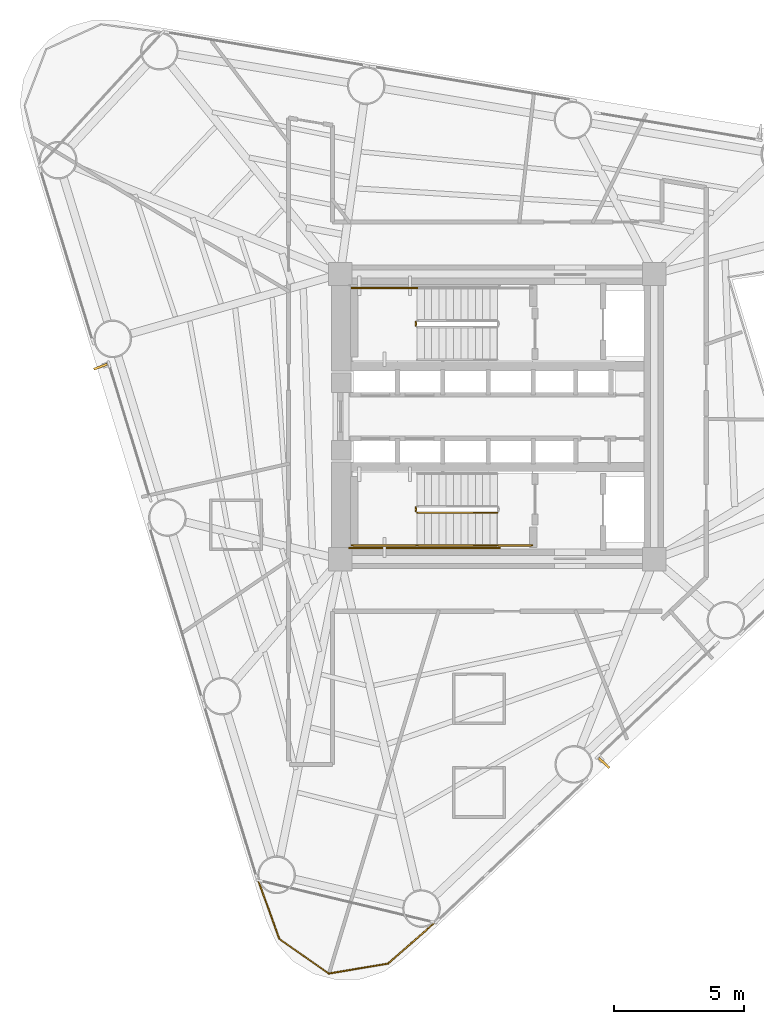
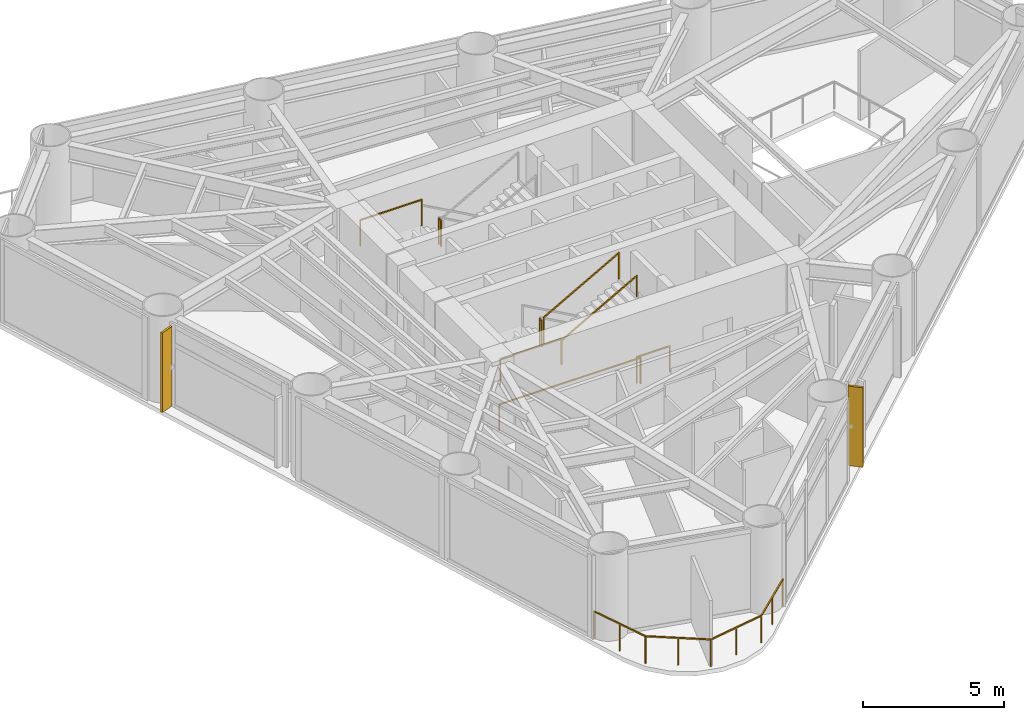
# One storey, part 8 of 10: 9 railings, 2 shading devices.
"""IFC4 building model written with IfcOpenShell, lengths in metres."""

import ifcopenshell
import ifcopenshell.guid

model = None  # the IFC model being written
_history = None  # IfcOwnerHistory: only IFC2X3 demands one
_inside = {}  # id of a spatial element -> (the spatial element, [elements in it])
_under = {}  # id of a project, library or spatial element -> (it, [spatial elements below it])
_declared = {}  # id of a project -> (the project, [libraries it declares])
_typed = {}  # id of a type object -> (the type object, [elements of that type])
_made_of = {}  # id of a material, layer set ... -> (it, [elements and type objects made of it])


def new_model(schema):
    """Start an empty IFC model of exactly this schema.

    Asked for "IFC4X3", IfcOpenShell would pick the latest addendum, in which some entities
    have other attributes; the version numbers below select the first issue.
    IFC2X3 requires an IfcOwnerHistory on every rooted entity: one is made here for all.
    """
    global model, _history
    if schema == "IFC4X3":
        model = ifcopenshell.file(schema_version=(4, 3, 0, 0))
    else:
        model = ifcopenshell.file(schema=schema)
    _inside.clear()
    _under.clear()
    _declared.clear()
    _typed.clear()
    _made_of.clear()
    _history = None
    if model.schema == "IFC2X3":
        org = make("IfcOrganization", Name="unknown")
        user = make(
            "IfcPersonAndOrganization",
            ThePerson=make("IfcPerson", FamilyName="unknown"),
            TheOrganization=org,
        )
        app = make(
            "IfcApplication",
            ApplicationDeveloper=org,
            Version="unknown",
            ApplicationFullName="unknown",
            ApplicationIdentifier="unknown",
        )
        _history = make(
            "IfcOwnerHistory",
            OwningUser=user,
            OwningApplication=app,
            ChangeAction="ADDED",
            CreationDate=0,
        )
    return model


def make(cls, **values):
    """One entity of the class cls with the attributes given. An attribute that is None is left unset."""
    return model.create_entity(
        cls, **{name: value for name, value in values.items() if value is not None}
    )


def rooted(cls, **values):
    """An entity with a GlobalId (a new one), such as an element, a storey or a relation."""
    return make(cls, GlobalId=ifcopenshell.guid.new(), OwnerHistory=_history, **values)


def si_unit(unit_type, name, prefix=None):
    """IfcSIUnit, for example si_unit("LENGTHUNIT", "METRE", prefix="MILLI")."""
    return make("IfcSIUnit", UnitType=unit_type, Prefix=prefix, Name=name)


def assignment(units):
    """IfcUnitAssignment: the units of a project."""
    return None if units is None else make("IfcUnitAssignment", Units=units)


def point(xyz):
    """IfcCartesianPoint."""
    return None if xyz is None else make("IfcCartesianPoint", Coordinates=xyz)


def direction(xyz):
    """IfcDirection."""
    return None if xyz is None else make("IfcDirection", DirectionRatios=xyz)


def frame(location, z_axis=None, x_axis=None):
    """IfcAxis2Placement3D, a coordinate frame: its origin and axes. An axis left out is left unset."""
    return make(
        "IfcAxis2Placement3D",
        Location=point(location),
        Axis=direction(z_axis),
        RefDirection=direction(x_axis),
    )


def frame_2d(location, x_axis=None):
    """IfcAxis2Placement2D, a coordinate frame in the plane: its origin and x axis."""
    return make(
        "IfcAxis2Placement2D", Location=point(location), RefDirection=direction(x_axis)
    )


def origin():
    """The frame at (0, 0, 0) with its axes left unset."""
    return frame((0.0, 0.0, 0.0))


def origin_2d():
    """The frame at (0, 0) in the plane with its x axis left unset."""
    return frame_2d((0.0, 0.0))


def place(relative_to, where):
    """IfcLocalPlacement: puts the frame where relative to a parent placement (None: the world)."""
    return make(
        "IfcLocalPlacement", PlacementRelTo=relative_to, RelativePlacement=where
    )


def context(
    kind, dimensions, precision=None, world=None, true_north=None, identifier=None
):
    """IfcGeometricRepresentationContext, for example the 3D "Model" context."""
    return make(
        "IfcGeometricRepresentationContext",
        ContextIdentifier=identifier,
        ContextType=kind,
        CoordinateSpaceDimension=dimensions,
        Precision=precision,
        WorldCoordinateSystem=world,
        TrueNorth=true_north,
    )


def subcontext(parent, identifier, kind, view, scale=None):
    """IfcGeometricRepresentationSubContext, for example "Body" below "Model"."""
    return make(
        "IfcGeometricRepresentationSubContext",
        ContextIdentifier=identifier,
        ContextType=kind,
        ParentContext=parent,
        TargetScale=scale,
        TargetView=view,
    )


def project(units=None, contexts=None):
    """IfcProject with its units and contexts."""
    return rooted(
        "IfcProject",
        Name="project",
        RepresentationContexts=contexts,
        UnitsInContext=assignment(units),
    )


def spatial(cls, under=None, at=None, **own):
    """A site, building, storey or space (cls), placed at a placement, below another one or the project."""
    s = rooted(cls, ObjectPlacement=at, **own)
    if under is not None:
        _under.setdefault(under.id(), (under, []))[1].append(s)
    return s


def profile(cls, at=None, kind="AREA", **sizes):
    """A parametric profile (cls). Its sizes go by their IFC names, for example OverallWidth=200.0."""
    return make(cls, ProfileType=kind, Position=at, **sizes)


def rectangle(**sizes):
    """IfcRectangleProfileDef."""
    return profile("IfcRectangleProfileDef", **sizes)


def extrude(swept, where, along, depth):
    """IfcExtrudedAreaSolid: the profile swept, set in the frame where, extruded along a direction by depth."""
    return make(
        "IfcExtrudedAreaSolid",
        SweptArea=swept,
        Position=where,
        ExtrudedDirection=direction(along),
        Depth=depth,
    )


def shape(context_of_items, identifier, shape_type, items):
    """IfcShapeRepresentation: the items that make up one representation, for example the "Body"."""
    return make(
        "IfcShapeRepresentation",
        ContextOfItems=context_of_items,
        RepresentationIdentifier=identifier,
        RepresentationType=shape_type,
        Items=items,
    )


def source(mapping_origin, context_of_items, identifier, shape_type, items):
    """IfcRepresentationMap: a shape defined once, which mapped items show again and again."""
    return make(
        "IfcRepresentationMap",
        MappingOrigin=mapping_origin,
        MappedRepresentation=shape(context_of_items, identifier, shape_type, items),
    )


def transform(
    local_origin,
    x_axis=None,
    y_axis=None,
    z_axis=None,
    scale=None,
    scale2=None,
    scale3=None,
    uniform=True,
):
    """IfcCartesianTransformationOperator3D, or its non-uniform kind. x_axis, y_axis, z_axis: its Axis1, 2, 3."""
    if uniform:
        return make(
            "IfcCartesianTransformationOperator3D",
            Axis1=direction(x_axis),
            Axis2=direction(y_axis),
            LocalOrigin=point(local_origin),
            Scale=scale,
            Axis3=direction(z_axis),
        )
    return make(
        "IfcCartesianTransformationOperator3DnonUniform",
        Axis1=direction(x_axis),
        Axis2=direction(y_axis),
        LocalOrigin=point(local_origin),
        Scale=scale,
        Axis3=direction(z_axis),
        Scale2=scale2,
        Scale3=scale3,
    )


def mapped(mapping_source, mapping_target):
    """IfcMappedItem: shows the shape of a source again, moved by a transform."""
    return make(
        "IfcMappedItem", MappingSource=mapping_source, MappingTarget=mapping_target
    )


def material(Name=None, Category=None):
    """IfcMaterial."""
    return make("IfcMaterial", Name=Name, Category=Category)


def material_profile(
    of_material, cross_section, Name=None, Category=None, Priority=None
):
    """IfcMaterialProfile: a cross section and its material."""
    return make(
        "IfcMaterialProfile",
        Name=Name,
        Material=of_material,
        Profile=cross_section,
        Priority=Priority,
        Category=Category,
    )


def profile_set(profiles, Name=None, composite=None):
    """IfcMaterialProfileSet."""
    return make(
        "IfcMaterialProfileSet",
        Name=Name,
        MaterialProfiles=profiles,
        CompositeProfile=composite,
    )


def made_of(thing, what):
    """Note that an element or type object is made of a material, layer set ...; save() writes the relation."""
    if what is not None:
        _made_of.setdefault(what.id(), (what, []))[1].append(thing)
    return thing


def type_object(cls, material=None, **own):
    """A type object (cls), such as IfcWallType, which elements share."""
    return made_of(rooted(cls, **own), material)


def element(
    cls,
    number,
    at=None,
    inside=None,
    cuts=None,
    type_object=None,
    material=None,
    context=None,
    identifier="Body",
    shape_type=None,
    held_by="IfcProductDefinitionShape",
    body=None,
    shapes=None,
    **own,
):
    """One element of the class cls, such as IfcWall. Its Tag is "e" and its number.

    at: its placement. inside: the storey or other place that contains it. cuts: it is an
    opening in that element (IfcRelVoidsElement). A single representation is given by context,
    identifier, shape_type and body (its items); several are given by shapes. held_by: the class
    of the entity that holds the representations. save() writes the other relations.
    """
    e = rooted(cls, Tag="e%d" % number, ObjectPlacement=at, **own)
    if body is not None:
        shapes = [shape(context, identifier, shape_type, body)]
    if shapes is not None:
        e.Representation = make(held_by, Representations=shapes)
    if inside is not None:
        _inside.setdefault(inside.id(), (inside, []))[1].append(e)
    if cuts is not None:
        rooted(
            "IfcRelVoidsElement", RelatingBuildingElement=cuts, RelatedOpeningElement=e
        )
    if type_object is not None:
        _typed.setdefault(type_object.id(), (type_object, []))[1].append(e)
    return made_of(e, material)


def aggregate(whole, parts):
    """IfcRelAggregates: a whole, such as a stair, and the parts it consists of."""
    return rooted("IfcRelAggregates", RelatingObject=whole, RelatedObjects=parts)


def save(model, path):
    """Write the relations noted so far, then the file.

    IfcRelAggregates (storeys below a building ...), IfcRelContainedInSpatialStructure (elements
    in a storey), IfcRelDefinesByType, IfcRelAssociatesMaterial and IfcRelDeclares: one each for
    every whole, place, type object, material and project.
    """
    for whole, parts in _under.values():
        aggregate(whole, parts)
    for where, things in _inside.values():
        rooted(
            "IfcRelContainedInSpatialStructure",
            RelatedElements=things,
            RelatingStructure=where,
        )
    for kind, things in _typed.values():
        rooted("IfcRelDefinesByType", RelatedObjects=things, RelatingType=kind)
    for what, things in _made_of.values():
        rooted("IfcRelAssociatesMaterial", RelatedObjects=things, RelatingMaterial=what)
    for by, libraries in _declared.values():
        rooted("IfcRelDeclares", RelatingContext=by, RelatedDefinitions=libraries)
    model.write(path)


model = new_model("IFC4")

# Units and contexts
model_context = context("Model", 3, precision=1e-05, world=origin(), true_north=direction((0.0, 1.0)))
body_context = subcontext(model_context, "Body", "Model", "MODEL_VIEW")
ifc_project = project(units=[si_unit("LENGTHUNIT", "METRE"), si_unit("AREAUNIT", "SQUARE_METRE"), si_unit("VOLUMEUNIT", "CUBIC_METRE"), si_unit("PLANEANGLEUNIT", "RADIAN"), si_unit("MASSUNIT", "GRAM", prefix="KILO")], contexts=[model_context])

# Site, building, storey
site_placement = place(None, origin())
site = spatial("IfcSite", under=ifc_project, at=site_placement, CompositionType="ELEMENT")
building_placement = place(site_placement, origin())
building = spatial("IfcBuilding", under=site, at=building_placement, Name="Yunling Apex Tower", CompositionType="ELEMENT")
storey_placement = place(building_placement, frame((0.0, 0.0, 97.39990234375)))
storey = spatial("IfcBuildingStorey", under=building, at=storey_placement, Name="L24", CompositionType="ELEMENT", Elevation=97.39990234375)

# Railings
ifc_material_1 = material(Name="Bronze anodised aluminium", Category="aluminium")
railing_type_1 = type_object("IfcRailingType", Name="RL-BAL-1200", PredefinedType="BALUSTRADE", material=ifc_material_1)
railing_1_placement = place(storey_placement, frame((-2.412353515625, -19.497314453125, 0.0)))
element("IfcRailing", 1, at=railing_1_placement, inside=storey, type_object=railing_type_1, Name="RL-CRNSILL-L24-3", PredefinedType="BALUSTRADE", context=body_context, shape_type="SweptSolid", body=[
    extrude(rectangle(XDim=0.0439453125, YDim=0.0439453125, at=origin_2d()), origin(), (0.0, 0.0, 1.0), 1.199951171875),
    extrude(rectangle(XDim=0.0439453125, YDim=0.0439453125, at=origin_2d()), frame((-1.796630859375, -1.580078125, 0.0)), (0.0, 0.0, 1.0), 1.199951171875),
    extrude(rectangle(XDim=0.050048828125, YDim=0.050048828125, at=origin_2d()), frame((-0.02880859375, -0.025390625, 1.1748046875), z_axis=(-0.750911858274, -0.660402438748, 0.0), x_axis=(0.660402438748, -0.750911858274, 0.0)), (0.0, 0.0, 1.0), 2.31591796875),
    extrude(rectangle(XDim=0.0439453125, YDim=0.0439453125, at=origin_2d()), frame((-0.8984375, -0.7900390625, 0.0)), (0.0, 0.0, 1.0), 1.14599609375),
    extrude(rectangle(XDim=0.0439453125, YDim=0.0439453125, at=origin_2d()), frame((-4.085205078125, -1.96484375, 0.0)), (0.0, 0.0, 1.0), 1.199951171875),
    extrude(rectangle(XDim=0.050048828125, YDim=0.050048828125, at=origin_2d()), frame((-1.83447265625, -1.58642578125, 1.1748046875), z_axis=(-0.986159782391, -0.165797718908, 0.0), x_axis=(0.165797718908, -0.986159782391, 0.0)), (0.0, 0.0, 1.0), 2.244140625),
    extrude(rectangle(XDim=0.0439453125, YDim=0.0439453125, at=origin_2d()), frame((-2.94091796875, -1.7724609375, 0.0)), (0.0, 0.0, 1.0), 1.14599609375),
    extrude(rectangle(XDim=0.0439453125, YDim=0.0439453125, at=origin_2d()), frame((-5.991943359375, -0.62890625, 0.0)), (0.0, 0.0, 1.0), 1.199951171875),
    extrude(rectangle(XDim=0.050048828125, YDim=0.050048828125, at=origin_2d()), frame((-4.11669921875, -1.94287109375, 1.1748046875), z_axis=(-0.818985520809, 0.573814183081, 0.0), x_axis=(-0.573814183081, -0.818985520809, 0.0)), (0.0, 0.0, 1.0), 2.25146484375),
    extrude(rectangle(XDim=0.0439453125, YDim=0.0439453125, at=origin_2d()), frame((-5.03857421875, -1.296875, 0.0)), (0.0, 0.0, 1.0), 1.14599609375),
    extrude(rectangle(XDim=0.0439453125, YDim=0.0439453125, at=origin_2d()), frame((-6.80224609375, 1.62158203125, 0.0)), (0.0, 0.0, 1.0), 1.199951171875),
    extrude(rectangle(XDim=0.050048828125, YDim=0.050048828125, at=origin_2d()), frame((-6.0048828125, -0.5927734375, 1.1748046875), z_axis=(-0.338766454211, 0.940870495606, 0.0), x_axis=(-0.940870495606, -0.338766454211, 0.0)), (0.0, 0.0, 1.0), 2.315185546875),
    extrude(rectangle(XDim=0.0439453125, YDim=0.0439453125, at=origin_2d()), frame((-6.39697265625, 0.496337890625, 0.0)), (0.0, 0.0, 1.0), 1.14599609375),
])
ifc_material_2 = material(Name="Steel Q355B", Category="steel")
railing_type_2 = type_object("IfcRailingType", Name="RL-GRD-1150", PredefinedType="GUARDRAIL", material=ifc_material_2)
railing_2_placement = place(storey_placement, frame((-3.139892578125, 3.64990234375, 1.875)))
element("IfcRailing", 2, at=railing_2_placement, inside=storey, type_object=railing_type_2, Name="L24 ST-1 stair guard 2", PredefinedType="GUARDRAIL", context=body_context, shape_type="SweptSolid", body=[
    extrude(rectangle(XDim=0.0439453125, YDim=0.0439453125, at=origin_2d()), origin(), (0.0, 0.0, 1.0), 1.14990234375),
    extrude(rectangle(XDim=0.0439453125, YDim=0.0439453125, at=origin_2d()), frame((0.0, -0.14990234375, 0.0)), (0.0, 0.0, 1.0), 1.14990234375),
    extrude(rectangle(XDim=0.050048828125, YDim=0.050048828125, at=origin_2d()), frame((0.0, -0.038330078125, 1.125), z_axis=(0.0, -1.0, 0.0), x_axis=(1.0, 0.0, 0.0)), (0.0, 0.0, 1.0), 0.0732421875),
])
railing_3_placement = place(storey_placement, frame((-3.090087890625, 4.9599609375, 1.875)))
element("IfcRailing", 3, at=railing_3_placement, inside=storey, type_object=railing_type_2, Name="L24 ST-1 stair guard 3", PredefinedType="GUARDRAIL", context=body_context, shape_type="SweptSolid", body=[
    extrude(rectangle(XDim=0.0439453125, YDim=0.0439453125, at=origin_2d()), origin(), (0.0, 0.0, 1.0), 1.14990234375),
    extrude(rectangle(XDim=0.0439453125, YDim=0.0439453125, at=origin_2d()), frame((-2.510009765625, 0.0, 0.0)), (0.0, 0.0, 1.0), 1.14990234375),
    extrude(rectangle(XDim=0.050048828125, YDim=0.050048828125, at=origin_2d()), frame((-0.038330078125, 0.0, 1.125), z_axis=(-1.0, 0.0, 0.0), x_axis=(0.0, -1.0, 0.0)), (0.0, 0.0, 1.0), 2.433349609375),
])
railing_4_placement = place(storey_placement, frame((-3.139892578125, -3.5, 1.875)))
element("IfcRailing", 4, at=railing_4_placement, inside=storey, type_object=railing_type_2, Name="L24 ST-2 stair guard 2", PredefinedType="GUARDRAIL", context=body_context, shape_type="SweptSolid", body=[
    extrude(rectangle(XDim=0.0439453125, YDim=0.0439453125, at=origin_2d()), origin(), (0.0, 0.0, 1.0), 1.14990234375),
    extrude(rectangle(XDim=0.0439453125, YDim=0.0439453125, at=origin_2d()), frame((0.0, -0.14990234375, 0.0)), (0.0, 0.0, 1.0), 1.14990234375),
    extrude(rectangle(XDim=0.050048828125, YDim=0.050048828125, at=origin_2d()), frame((0.0, -0.038330078125, 1.125), z_axis=(0.0, -1.0, 0.0), x_axis=(1.0, 0.0, 0.0)), (0.0, 0.0, 1.0), 0.0732421875),
])
railing_5_placement = place(storey_placement, frame((-3.090087890625, -4.9599609375, 1.875)))
element("IfcRailing", 5, at=railing_5_placement, inside=storey, type_object=railing_type_2, Name="L24 ST-2 stair guard 3", PredefinedType="GUARDRAIL", context=body_context, shape_type="SweptSolid", body=[
    extrude(rectangle(XDim=0.0439453125, YDim=0.0439453125, at=origin_2d()), origin(), (0.0, 0.0, 1.0), 1.14990234375),
    extrude(rectangle(XDim=0.0439453125, YDim=0.0439453125, at=origin_2d()), frame((-2.510009765625, 0.0, 0.0)), (0.0, 0.0, 1.0), 1.14990234375),
    extrude(rectangle(XDim=0.050048828125, YDim=0.050048828125, at=origin_2d()), frame((-0.038330078125, 0.0, 1.125), z_axis=(-1.0, 0.0, 0.0), x_axis=(0.0, -1.0, 0.0)), (0.0, 0.0, 1.0), 2.433349609375),
])
railing_6_placement = place(storey_placement, frame((-3.090087890625, -3.699951171875, 2.03125)))
element("IfcRailing", 6, at=railing_6_placement, inside=storey, type_object=railing_type_2, Name="L24 ST-2 stair guard 4", PredefinedType="GUARDRAIL", context=body_context, shape_type="SweptSolid", body=[
    extrude(rectangle(XDim=0.0439453125, YDim=0.0439453125, at=origin_2d()), origin(), (0.0, 0.0, 1.0), 1.14990234375),
    extrude(rectangle(XDim=0.0439453125, YDim=0.0439453125, at=origin_2d()), frame((3.080078125, 0.0, 1.71875)), (0.0, 0.0, 1.0), 1.14990234375),
    extrude(rectangle(XDim=0.050048828125, YDim=0.050048828125, at=origin_2d()), frame((0.033447265625, 0.0, 1.1435546875), z_axis=(0.873241540666, 0.0, 0.487287606713), x_axis=(0.0, 1.0, 0.0)), (0.0, 0.0, 1.0), 3.450439453125),
])
railing_7_placement = place(storey_placement, frame((1.35009765625, -4.9599609375, 0.0)))
element("IfcRailing", 7, at=railing_7_placement, inside=storey, type_object=railing_type_2, Name="L24 ST-2 stair guard 6", PredefinedType="GUARDRAIL", context=body_context, shape_type="SweptSolid", body=[
    extrude(rectangle(XDim=0.0439453125, YDim=0.0439453125, at=origin_2d()), origin(), (0.0, 0.0, 1.0), 1.14990234375),
    extrude(rectangle(XDim=0.0439453125, YDim=0.0439453125, at=origin_2d()), frame((-1.360107421875, 0.0, 0.0)), (0.0, 0.0, 1.0), 1.14990234375),
    extrude(rectangle(XDim=0.050048828125, YDim=0.050048828125, at=origin_2d()), frame((-0.038330078125, 0.0, 1.125), z_axis=(-1.0, 0.0, 0.0), x_axis=(0.0, -1.0, 0.0)), (0.0, 0.0, 1.0), 1.283447265625),
])
railing_8_placement = place(storey_placement, frame((0.090087890625, -5.06005859375, 0.0)))
element("IfcRailing", 8, at=railing_8_placement, inside=storey, type_object=railing_type_2, Name="L24 ST-2 stair guard 7", PredefinedType="GUARDRAIL", context=body_context, shape_type="SweptSolid", body=[
    extrude(rectangle(XDim=0.0439453125, YDim=0.0439453125, at=origin_2d()), origin(), (0.0, 0.0, 1.0), 1.14990234375),
    extrude(rectangle(XDim=0.0439453125, YDim=0.0439453125, at=origin_2d()), frame((-5.7900390625, 0.0, 0.0)), (0.0, 0.0, 1.0), 1.14990234375),
    extrude(rectangle(XDim=0.050048828125, YDim=0.050048828125, at=origin_2d()), frame((-0.038330078125, 0.0, 1.125), z_axis=(-1.0, 0.0, 0.0), x_axis=(0.0, -1.0, 0.0)), (0.0, 0.0, 1.0), 5.71337890625),
])
ifc_material_3 = material(Name="Silver anodised aluminium", Category="aluminium")
railing_type_3 = type_object("IfcRailingType", Name="RL-HND-900", PredefinedType="HANDRAIL", material=ifc_material_3)
railing_9_placement = place(storey_placement, frame((-3.090087890625, -4.9599609375, 2.03125)))
element("IfcRailing", 9, at=railing_9_placement, inside=storey, type_object=railing_type_3, Name="L24 ST-2 stair handrail 2", PredefinedType="HANDRAIL", context=body_context, shape_type="SweptSolid", body=[
    extrude(rectangle(XDim=0.0439453125, YDim=0.0439453125, at=origin_2d()), origin(), (0.0, 0.0, 1.0), 0.919921875),
    extrude(rectangle(XDim=0.0439453125, YDim=0.0439453125, at=origin_2d()), frame((3.080078125, 0.0, 1.71875)), (0.0, 0.0, 1.0), 0.919921875),
    extrude(rectangle(XDim=0.050048828125, YDim=0.050048828125, at=origin_2d()), frame((0.033447265625, 0.0, 0.91357421875), z_axis=(0.873241540666, 0.0, 0.487287606713), x_axis=(0.0, 1.0, 0.0)), (0.0, 0.0, 1.0), 3.450439453125),
])

# Shading devices
ifc_material_profile = material_profile(ifc_material_1, rectangle(XDim=0.0849609375, YDim=0.550048828125, at=origin_2d()))
ifc_profile_set = profile_set([ifc_material_profile], Name="Bronze anodised aluminium")
shading_device_type = type_object("IfcShadingDeviceType", Name="FN-BRZ-3", PredefinedType="USERDEFINED", material=ifc_profile_set)
shared_shape = source(origin(), body_context, "Body", "SweptSolid", [
    extrude(rectangle(XDim=0.0849609375, YDim=0.550048828125, at=origin_2d()), origin(), (0.0, 0.0, 1.0), 3.445068359375),
])
for number, where, z_axis, x_axis, name in (
    (10, (4.11376953125, -13.347412109375, 0.06005859375), (0.0, 0.0, 1.0), (0.679313233894, 0.733848438205, 0.0), "CW-L24-F1-B2-FIN-01"),
    (11, (-15.29443359375, 1.92529296875, 0.06005859375), (0.0, 0.0, 1.0), (0.354291037998, -0.935135209686, 0.0), "CW-L24-F3-B2-FIN-01"),
):
    element("IfcShadingDevice", number, at=place(storey_placement, frame(where, z_axis=z_axis, x_axis=x_axis)), inside=storey, type_object=shading_device_type, Name=name, ObjectType="FIN", PredefinedType="USERDEFINED", context=body_context, shape_type="MappedRepresentation", body=[
        mapped(shared_shape, transform((0.0, 0.0, 0.0), scale=1.0)),
    ])

save(model, "model.ifc")
